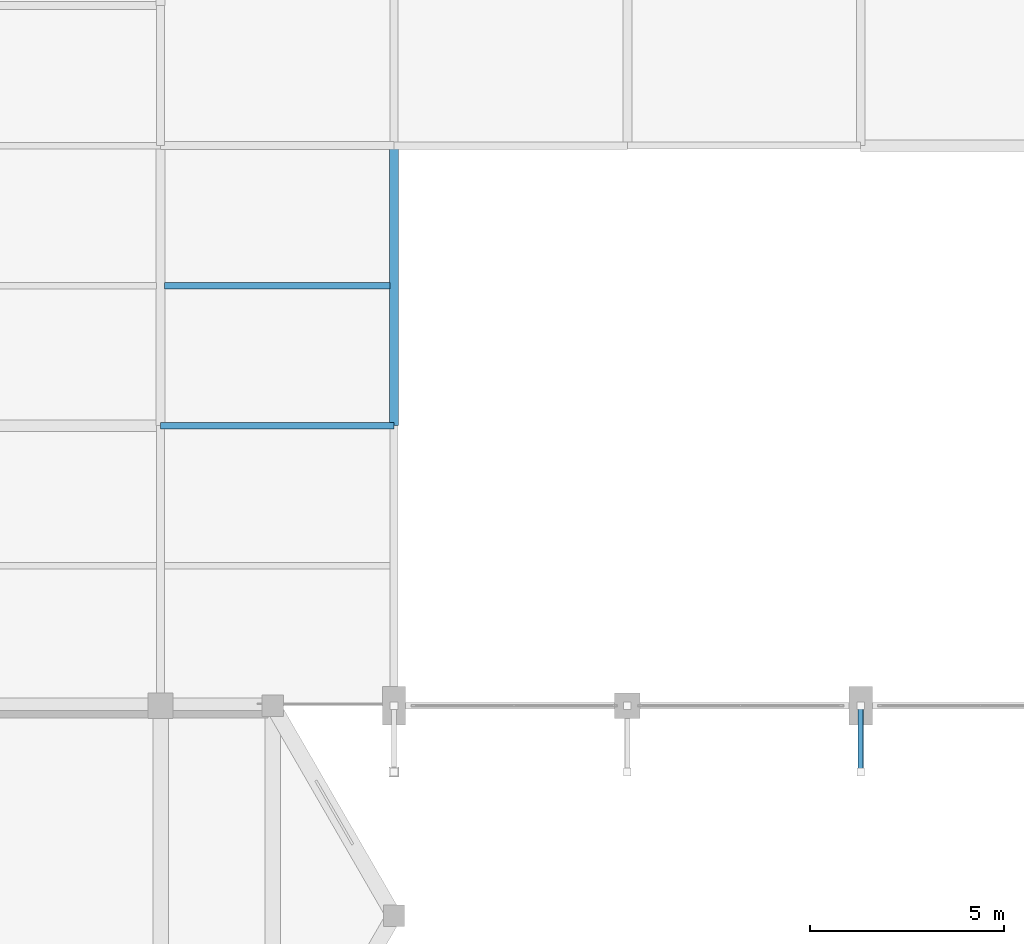
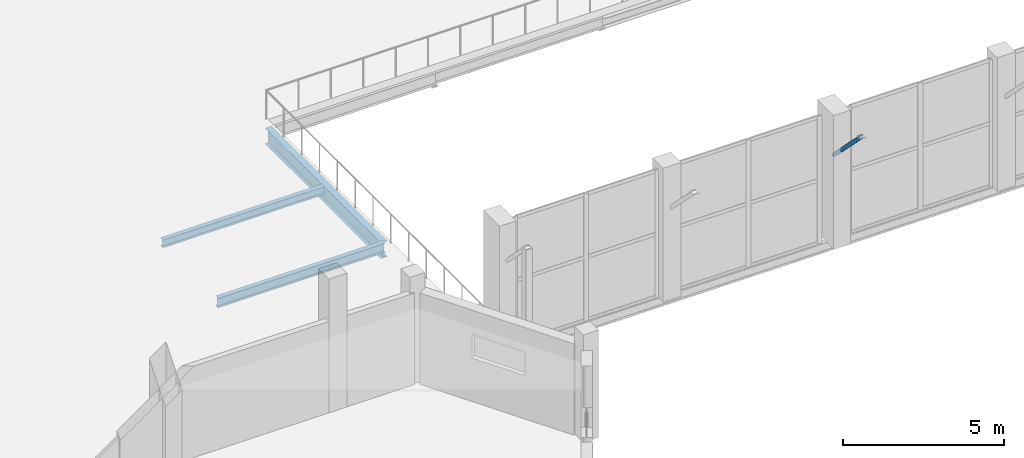
# One storey, part 21 of 127: 3 beams, 1 member.
"""IFC4 building model written with IfcOpenShell, lengths in metres."""

from ifc_helpers import new_model, si_unit, direction, frame, origin, origin_2d, place, context, subcontext, project, spatial, hollow_circle, i_section, extrude, material, material_profile, profile_set, type_object, element, save


model = new_model("IFC4")

# Units and contexts
model_context = context("Model", 3, precision=1e-05, world=origin(), true_north=direction((0.0, 1.0)))
body_context = subcontext(model_context, "Body", "Model", "MODEL_VIEW")
ifc_project = project(units=[si_unit("LENGTHUNIT", "METRE"), si_unit("AREAUNIT", "SQUARE_METRE"), si_unit("VOLUMEUNIT", "CUBIC_METRE"), si_unit("PLANEANGLEUNIT", "RADIAN"), si_unit("MASSUNIT", "GRAM", prefix="KILO")], contexts=[model_context])

# Site, building, storey
site_placement = place(None, origin())
site = spatial("IfcSite", under=ifc_project, at=site_placement, CompositionType="ELEMENT")
building_placement = place(site_placement, origin())
building = spatial("IfcBuilding", under=site, at=building_placement, Name="Dunvalen Ferry Terminal", CompositionType="ELEMENT")
storey_placement = place(building_placement, frame((0.0, 0.0, 5.760009765625)))
storey = spatial("IfcBuildingStorey", under=building, at=storey_placement, Name="L01", CompositionType="ELEMENT", Elevation=5.760009765625)

# Beams
ifc_material = material(Name="Steel S355", Category="steel")
ifc_material_profile_1 = material_profile(ifc_material, i_section(OverallWidth=0.169921875, OverallDepth=0.360107421875, WebThickness=0.008056640625, FlangeThickness=0.0126953125, FilletRadius=0.01806640625, at=origin_2d()), Name="Steel S355")
ifc_profile_set_1 = profile_set([ifc_material_profile_1], Name="Steel S355")
beam_type_1 = type_object("IfcBeamType", Name="STR-BM-IPE360", PredefinedType="BEAM", material=ifc_profile_set_1)
beam_1_placement = place(storey_placement, frame((30.0, 57.60009765625, -0.4599609375), z_axis=(1.0, 0.0, 0.0), x_axis=(0.0, 1.0, 0.0)))
element("IfcBeam", 1, at=beam_1_placement, inside=storey, type_object=beam_type_1, Name="L01 V1M Primary Beam X-011", PredefinedType="BEAM", context=body_context, shape_type="SweptSolid", body=[
    extrude(i_section(OverallWidth=0.169921875, OverallDepth=0.360107421875, WebThickness=0.008056640625, FlangeThickness=0.0126953125, FilletRadius=0.01806640625, at=origin_2d()), origin(), (0.0, 0.0, 1.0), 6.0),
])
ifc_material_profile_2 = material_profile(ifc_material, i_section(OverallWidth=0.1650390625, OverallDepth=0.303466796875, WebThickness=0.006103515625, FlangeThickness=0.01025390625, FilletRadius=0.0087890625, at=origin_2d()), Name="Steel S355")
ifc_profile_set_2 = profile_set([ifc_material_profile_2], Name="Steel S355")
beam_type_2 = type_object("IfcBeamType", Name="STR-BM-UKB305", PredefinedType="JOIST", material=ifc_profile_set_2)
beam_2_placement = place(storey_placement, frame((30.10009765625, 61.199951171875, -0.431640625), z_axis=(1.0, 0.0, 0.0), x_axis=(0.0, 1.0, 0.0)))
element("IfcBeam", 2, at=beam_2_placement, inside=storey, type_object=beam_type_2, Name="L01 V1M Secondary Joist 011", PredefinedType="JOIST", context=body_context, shape_type="SweptSolid", body=[
    extrude(i_section(OverallWidth=0.1650390625, OverallDepth=0.303466796875, WebThickness=0.006103515625, FlangeThickness=0.01025390625, FilletRadius=0.0087890625, at=origin_2d()), origin(), (0.0, 0.0, 1.0), 5.7998046875),
])
ifc_material_profile_3 = material_profile(ifc_material, i_section(OverallWidth=0.228271484375, OverallDepth=0.607666015625, WebThickness=0.010986328125, FlangeThickness=0.017333984375, FilletRadius=0.0126953125, at=origin_2d()), Name="Steel S355")
ifc_profile_set_3 = profile_set([ifc_material_profile_3], Name="Steel S355")
beam_type_3 = type_object("IfcBeamType", Name="STR-BM-UKB610", PredefinedType="BEAM", material=ifc_profile_set_3)
beam_3_placement = place(storey_placement, frame((36.0, 57.60009765625, -0.583740234375), z_axis=(0.0, 1.0, 0.0), x_axis=(-1.0, 0.0, 0.0)))
element("IfcBeam", 3, at=beam_3_placement, inside=storey, type_object=beam_type_3, Name="L01 V1M Primary Girder Y-100", PredefinedType="BEAM", context=body_context, shape_type="SweptSolid", body=[
    extrude(i_section(OverallWidth=0.228271484375, OverallDepth=0.607666015625, WebThickness=0.010986328125, FlangeThickness=0.017333984375, FilletRadius=0.0126953125, at=origin_2d()), origin(), (0.0, 0.0, 1.0), 7.199951171875),
])

# Member
ifc_material_profile_4 = material_profile(ifc_material, hollow_circle(Radius=0.06982421875, WallThickness=0.00634765625, at=origin_2d()), Name="Steel S355")
ifc_profile_set_4 = profile_set([ifc_material_profile_4], Name="Steel S355")
member_type = type_object("IfcMemberType", Name="STR-MB-CHS139", PredefinedType="BRACE", material=ifc_profile_set_4)
member_placement = place(storey_placement, frame((48.0, 50.39990234375, 3.18994140625), z_axis=(0.0, -0.705028038092, 0.709179431106), x_axis=(1.0, 0.0, 0.0)))
element("IfcMember", 4, at=member_placement, inside=storey, type_object=member_type, Name="Departure Hall South Eave Knee Strut 07", PredefinedType="BRACE", context=body_context, shape_type="SweptSolid", body=[
    extrude(hollow_circle(Radius=0.06982421875, WallThickness=0.00634765625, at=origin_2d()), origin(), (0.0, 0.0, 1.0), 2.4111328125),
])

save(model, "model.ifc")
